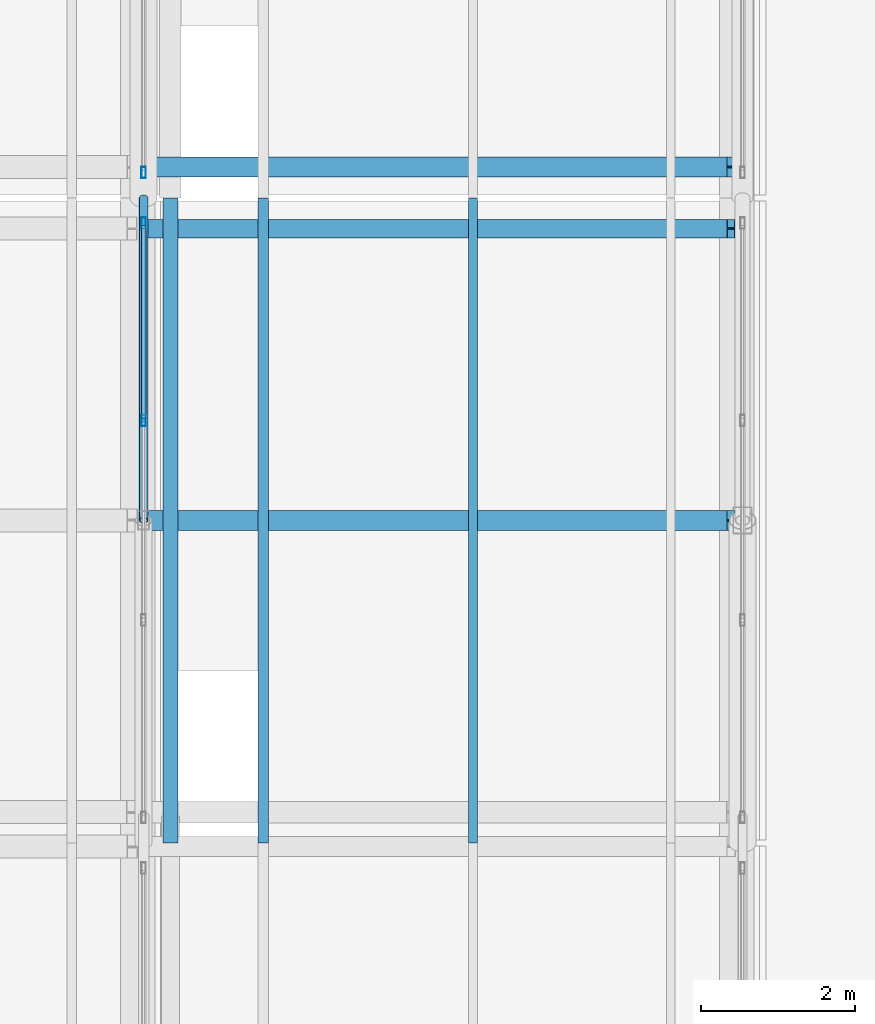
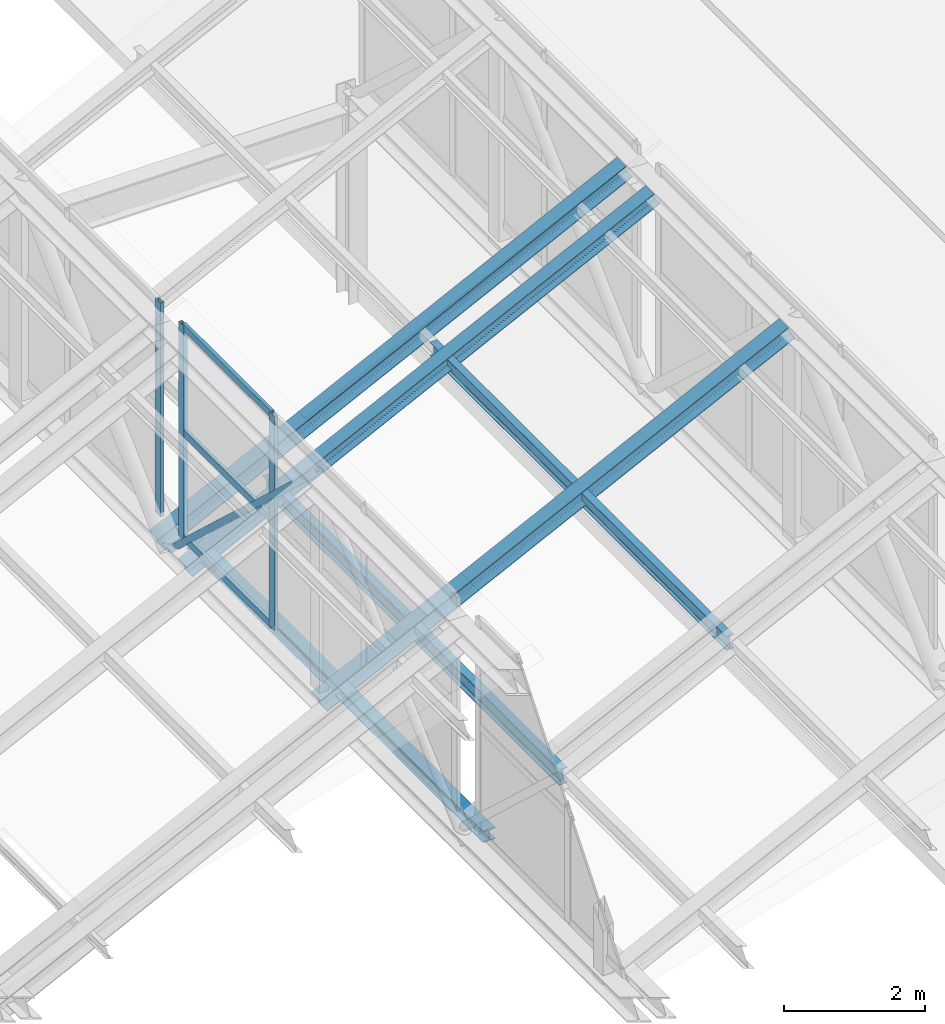
# One storey, part 39 of 101: 13 members, 2 elements without a shape of their own.
"""IFC4 building model written with IfcOpenShell, lengths in metres."""

from ifc_helpers import new_model, si_unit, direction, frame, origin, origin_2d, place, context, subcontext, project, spatial, hollow_rectangle, hollow_circle, i_section, extrude, material, layer, layer_set, material_profile, profile_set, type_object, element, aggregate, save


model = new_model("IFC4")

# Units and contexts
model_context = context("Model", 3, precision=1e-05, world=origin(), true_north=direction((0.0, 1.0)))
body_context = subcontext(model_context, "Body", "Model", "MODEL_VIEW")
ifc_project = project(units=[si_unit("LENGTHUNIT", "METRE"), si_unit("AREAUNIT", "SQUARE_METRE"), si_unit("VOLUMEUNIT", "CUBIC_METRE"), si_unit("PLANEANGLEUNIT", "RADIAN"), si_unit("MASSUNIT", "GRAM", prefix="KILO")], contexts=[model_context])

# Site, building, storey
site_placement = place(None, origin())
site = spatial("IfcSite", under=ifc_project, at=site_placement, CompositionType="ELEMENT")
building_placement = place(site_placement, origin())
building = spatial("IfcBuilding", under=site, at=building_placement, Name="Zizhar Promenade General Hospital", CompositionType="ELEMENT")
storey_placement = place(building_placement, frame((0.0, 0.0, 14.39990234375)))
storey = spatial("IfcBuildingStorey", under=building, at=storey_placement, Name="L03", CompositionType="ELEMENT", Elevation=14.39990234375)

# Curtain wall, members
ifc_material_1 = material(Name="Anodised aluminium 6063-T6 and low-E glass", Category="aluminium")
ifc_layer_1 = layer(ifc_material_1, 0.159912109375)
ifc_layer_set_1 = layer_set([ifc_layer_1], Name="Anodised aluminium 6063-T6 and low-E glass")
curtain_wall_type_1 = type_object("IfcCurtainWallType", Name="CW-SAW-NL2", PredefinedType="NOTDEFINED", material=ifc_layer_set_1)
curtain_wall_1_placement = place(storey_placement, origin())
curtain_wall_1 = element("IfcCurtainWall", 1, at=curtain_wall_1_placement, inside=storey, type_object=curtain_wall_type_1, Name="Sawtooth Clerestory Light B6-S2", PredefinedType="NOTDEFINED")
ifc_material_2 = material(Name="Anodised aluminium 6063-T6", Category="aluminium")
ifc_material_profile_1 = material_profile(ifc_material_2, hollow_rectangle(XDim=0.06005859375, YDim=0.14990234375, WallThickness=0.00390625, at=origin_2d()))
ifc_profile_set_1 = profile_set([ifc_material_profile_1], Name="Anodised aluminium 6063-T6")
member_type_1 = type_object("IfcMemberType", Name="CWM-ALU-150x60", PredefinedType="MULLION", material=ifc_profile_set_1)
member_1_placement = place(storey_placement, frame((117.0, 39.10009765625, 3.85009765625), z_axis=(0.0, 0.0, 1.0), x_axis=(-1.0, 0.0, 0.0)))
member_1 = element("IfcMember", 2, at=member_1_placement, type_object=member_type_1, Name="CW-04 mullion 3", PredefinedType="MULLION", context=body_context, shape_type="SweptSolid", body=[
    extrude(hollow_rectangle(XDim=0.06005859375, YDim=0.14990234375, WallThickness=0.00390625, at=origin_2d()), origin(), (0.0, 0.0, 1.0), 3.699951171875),
])
member_2_placement = place(storey_placement, frame((117.0, 41.669921875, 3.85009765625), z_axis=(0.0, 0.0, 1.0), x_axis=(-1.0, 0.0, 0.0)))
member_2 = element("IfcMember", 3, at=member_2_placement, type_object=member_type_1, Name="CW-04 mullion 4", PredefinedType="MULLION", context=body_context, shape_type="SweptSolid", body=[
    extrude(hollow_rectangle(XDim=0.06005859375, YDim=0.14990234375, WallThickness=0.00390625, at=origin_2d()), origin(), (0.0, 0.0, 1.0), 3.699951171875),
])

# Curtain wall, member
ifc_material_3 = material(Name="Anodised aluminium 6063-T6 and low-E glass", Category="aluminium")
ifc_layer_2 = layer(ifc_material_3, 0.159912109375)
ifc_layer_set_2 = layer_set([ifc_layer_2], Name="Anodised aluminium 6063-T6 and low-E glass")
curtain_wall_type_2 = type_object("IfcCurtainWallType", Name="CW-SAW-NL3", PredefinedType="NOTDEFINED", material=ifc_layer_set_2)
curtain_wall_2_placement = place(storey_placement, origin())
curtain_wall_2 = element("IfcCurtainWall", 4, at=curtain_wall_2_placement, inside=storey, type_object=curtain_wall_type_2, Name="Sawtooth Clerestory Light B6-S3", PredefinedType="NOTDEFINED")
member_3_placement = place(storey_placement, frame((117.0, 42.330078125, 3.85009765625), z_axis=(0.0, 0.0, 1.0), x_axis=(-1.0, 0.0, 0.0)))
member_3 = element("IfcMember", 5, at=member_3_placement, type_object=member_type_1, Name="CW-05 mullion 1", PredefinedType="MULLION", context=body_context, shape_type="SweptSolid", body=[
    extrude(hollow_rectangle(XDim=0.06005859375, YDim=0.14990234375, WallThickness=0.00390625, at=origin_2d()), origin(), (0.0, 0.0, 1.0), 3.699951171875),
])
aggregate(curtain_wall_2, [member_3])

# Member
ifc_material_4 = material(Name="Anodised aluminium 6063-T6", Category="aluminium")
ifc_material_profile_2 = material_profile(ifc_material_4, hollow_rectangle(XDim=0.06005859375, YDim=0.1201171875, WallThickness=0.00390625, at=origin_2d()))
ifc_profile_set_2 = profile_set([ifc_material_profile_2], Name="Anodised aluminium 6063-T6")
member_type_2 = type_object("IfcMemberType", Name="CWT-ALU-120x60", PredefinedType="USERDEFINED", material=ifc_profile_set_2)
member_4_placement = place(storey_placement, frame((117.0, 39.1298828125, 3.880126953125), z_axis=(0.0, 1.0, 0.0), x_axis=(-1.0, 0.0, 0.0)))
member_4 = element("IfcMember", 6, at=member_4_placement, type_object=member_type_2, Name="CW-04 transom 3.1", ObjectType="TRANSOM", PredefinedType="USERDEFINED", context=body_context, shape_type="SweptSolid", body=[
    extrude(hollow_rectangle(XDim=0.06005859375, YDim=0.1201171875, WallThickness=0.00390625, at=origin_2d()), origin(), (0.0, 0.0, 1.0), 2.510009765625),
])

member_5_placement = place(storey_placement, frame((117.0, 39.1298828125, 5.7001953125), z_axis=(0.0, 1.0, 0.0), x_axis=(-1.0, 0.0, 0.0)))
member_5 = element("IfcMember", 7, at=member_5_placement, type_object=member_type_2, Name="CW-04 transom 3.2", ObjectType="TRANSOM", PredefinedType="USERDEFINED", context=body_context, shape_type="SweptSolid", body=[
    extrude(hollow_rectangle(XDim=0.06005859375, YDim=0.1201171875, WallThickness=0.00390625, at=origin_2d()), origin(), (0.0, 0.0, 1.0), 2.510009765625),
])

member_6_placement = place(storey_placement, frame((117.0, 39.1298828125, 7.52001953125), z_axis=(0.0, 1.0, 0.0), x_axis=(-1.0, 0.0, 0.0)))
member_6 = element("IfcMember", 8, at=member_6_placement, type_object=member_type_2, Name="CW-04 transom 3.3", ObjectType="TRANSOM", PredefinedType="USERDEFINED", context=body_context, shape_type="SweptSolid", body=[
    extrude(hollow_rectangle(XDim=0.06005859375, YDim=0.1201171875, WallThickness=0.00390625, at=origin_2d()), origin(), (0.0, 0.0, 1.0), 2.510009765625),
])

aggregate(curtain_wall_1, [member_1, member_2, member_4, member_5, member_6])

# Members
ifc_material_5 = material(Name="Steel S355", Category="steel")
ifc_material_profile_3 = material_profile(ifc_material_5, hollow_circle(Radius=0.05712890625, WallThickness=0.00634765625, at=origin_2d()))
ifc_profile_set_3 = profile_set([ifc_material_profile_3], Name="Steel S355")
member_type_3 = type_object("IfcMemberType", Name="MEM-BRACE-CHS114", PredefinedType="BRACE", material=ifc_profile_set_3)
member_7_placement = place(storey_placement, frame((117.0, 42.0, 3.4501953125), z_axis=(0.0, -0.732798043082, 0.680446197767), x_axis=(1.0, 0.0, 0.0)))
element("IfcMember", 9, at=member_7_placement, inside=storey, type_object=member_type_3, Name="Sawtooth Truss Frame 7 Diagonal B2", PredefinedType="BRACE", context=body_context, shape_type="SweptSolid", body=[
    extrude(hollow_circle(Radius=0.05712890625, WallThickness=0.00634765625, at=origin_2d()), origin(), (0.0, 0.0, 1.0), 5.7314453125),
])
ifc_material_6 = material(Name="Steel S355", Category="steel")
ifc_material_profile_4 = material_profile(ifc_material_6, i_section(OverallWidth=0.199951171875, OverallDepth=0.199951171875, WebThickness=0.009033203125, FlangeThickness=0.014892578125, FilletRadius=0.01806640625, at=origin_2d()))
ifc_profile_set_4 = profile_set([ifc_material_profile_4], Name="Steel S355")
member_type_4 = type_object("IfcMemberType", Name="MEM-CHORD-HEB200", PredefinedType="CHORD", material=ifc_profile_set_4)
member_8_placement = place(storey_placement, frame((117.35009765625, 33.60009765625, 3.47021484375), z_axis=(0.0, 1.0, 0.0), x_axis=(-1.0, 0.0, 0.0)))
element("IfcMember", 10, at=member_8_placement, inside=storey, type_object=member_type_4, Name="Sawtooth Bay 7 Valley Tie 2", PredefinedType="CHORD", context=body_context, shape_type="SweptSolid", body=[
    extrude(i_section(OverallWidth=0.199951171875, OverallDepth=0.199951171875, WebThickness=0.009033203125, FlangeThickness=0.014892578125, FilletRadius=0.01806640625, at=origin_2d()), origin(), (0.0, 0.0, 1.0), 8.39990234375),
])
ifc_material_7 = material(Name="Steel S355", Category="steel")
ifc_material_profile_5 = material_profile(ifc_material_7, i_section(OverallWidth=0.1201171875, OverallDepth=0.239990234375, WebThickness=0.006103515625, FlangeThickness=0.009765625, FilletRadius=0.014892578125, at=origin_2d()))
ifc_profile_set_5 = profile_set([ifc_material_profile_5], Name="Steel S355")
member_type_5 = type_object("IfcMemberType", Name="MEM-PURL-IPE240", PredefinedType="PURLIN", material=ifc_profile_set_5)
member_9_placement = place(storey_placement, frame((121.2900390625, 33.60009765625, 5.424560546875), z_axis=(0.0, 1.0, 0.0), x_axis=(-1.0, 0.0, 0.0)))
element("IfcMember", 11, at=member_9_placement, inside=storey, type_object=member_type_5, Name="Sawtooth Bay 7 Purlin 2-2", PredefinedType="PURLIN", context=body_context, shape_type="SweptSolid", body=[
    extrude(i_section(OverallWidth=0.1201171875, OverallDepth=0.239990234375, WebThickness=0.006103515625, FlangeThickness=0.009765625, FilletRadius=0.014892578125, at=origin_2d()), origin(), (0.0, 0.0, 1.0), 8.39990234375),
])
ifc_material_8 = material(Name="Steel S355", Category="steel")
ifc_material_profile_6 = material_profile(ifc_material_8, i_section(OverallWidth=0.135009765625, OverallDepth=0.27001953125, WebThickness=0.006591796875, FlangeThickness=0.01025390625, FilletRadius=0.014892578125, at=origin_2d()))
ifc_profile_set_6 = profile_set([ifc_material_profile_6], Name="Steel S355")
member_type_6 = type_object("IfcMemberType", Name="MEM-PURL-IPE270", PredefinedType="PURLIN", material=ifc_profile_set_6)
member_10_placement = place(storey_placement, frame((118.56005859375, 33.60009765625, 4.06201171875), z_axis=(0.0, 1.0, 0.0), x_axis=(-1.0, 0.0, 0.0)))
element("IfcMember", 12, at=member_10_placement, inside=storey, type_object=member_type_6, Name="Sawtooth Bay 7 Purlin 2-1", PredefinedType="PURLIN", context=body_context, shape_type="SweptSolid", body=[
    extrude(i_section(OverallWidth=0.135009765625, OverallDepth=0.27001953125, WebThickness=0.006591796875, FlangeThickness=0.01025390625, FilletRadius=0.014892578125, at=origin_2d()), origin(), (0.0, 0.0, 1.0), 8.39990234375),
])
ifc_material_9 = material(Name="Steel S355", Category="steel")
ifc_material_profile_7 = material_profile(ifc_material_9, i_section(OverallWidth=0.239990234375, OverallDepth=0.22998046875, WebThickness=0.007568359375, FlangeThickness=0.011962890625, FilletRadius=0.02099609375, at=origin_2d()))
ifc_profile_set_7 = profile_set([ifc_material_profile_7], Name="Steel S355")
member_type_7 = type_object("IfcMemberType", Name="MEM-RAFT-HEA240", PredefinedType="RAFTER", material=ifc_profile_set_7)
member_11_placement = place(storey_placement, frame((117.0, 41.60009765625, 3.364990234375), z_axis=(0.896704881356, 0.0, 0.442628914276), x_axis=(0.0, 1.0, 0.0)))
element("IfcMember", 13, at=member_11_placement, inside=storey, type_object=member_type_7, Name="Sawtooth Bay 7 Rafter 2-3", PredefinedType="RAFTER", context=body_context, shape_type="SweptSolid", body=[
    extrude(i_section(OverallWidth=0.239990234375, OverallDepth=0.22998046875, WebThickness=0.007568359375, FlangeThickness=0.011962890625, FilletRadius=0.02099609375, at=origin_2d()), origin(), (0.0, 0.0, 1.0), 8.531005859375),
])
ifc_material_10 = material(Name="Steel S355", Category="steel")
ifc_material_profile_8 = material_profile(ifc_material_10, i_section(OverallWidth=0.260009765625, OverallDepth=0.25, WebThickness=0.007568359375, FlangeThickness=0.012451171875, FilletRadius=0.02392578125, at=origin_2d()))
ifc_profile_set_8 = profile_set([ifc_material_profile_8], Name="Steel S355")
member_type_8 = type_object("IfcMemberType", Name="MEM-RAFT-HEA260", PredefinedType="RAFTER", material=ifc_profile_set_8)
for number, where, z_axis, x_axis, name in (
    (14, (117.0, 37.800048828125, 3.353759765625), (0.896704881356, 0.0, 0.442628914276), (0.0, 1.0, 0.0), "Sawtooth Bay 7 Rafter 2-2"),
    (15, (117.0, 42.39990234375, 3.353759765625), (0.896704881356, 0.0, 0.442628914276), (0.0, 1.0, 0.0), "Sawtooth Bay 7 Rafter 3-1"),
):
    element("IfcMember", number, at=place(storey_placement, frame(where, z_axis=z_axis, x_axis=x_axis)), inside=storey, type_object=member_type_8, Name=name, PredefinedType="RAFTER", context=body_context, shape_type="SweptSolid", body=[
        extrude(i_section(OverallWidth=0.260009765625, OverallDepth=0.25, WebThickness=0.007568359375, FlangeThickness=0.012451171875, FilletRadius=0.02392578125, at=origin_2d()), origin(), (0.0, 0.0, 1.0), 8.531005859375),
    ])

save(model, "model.ifc")
